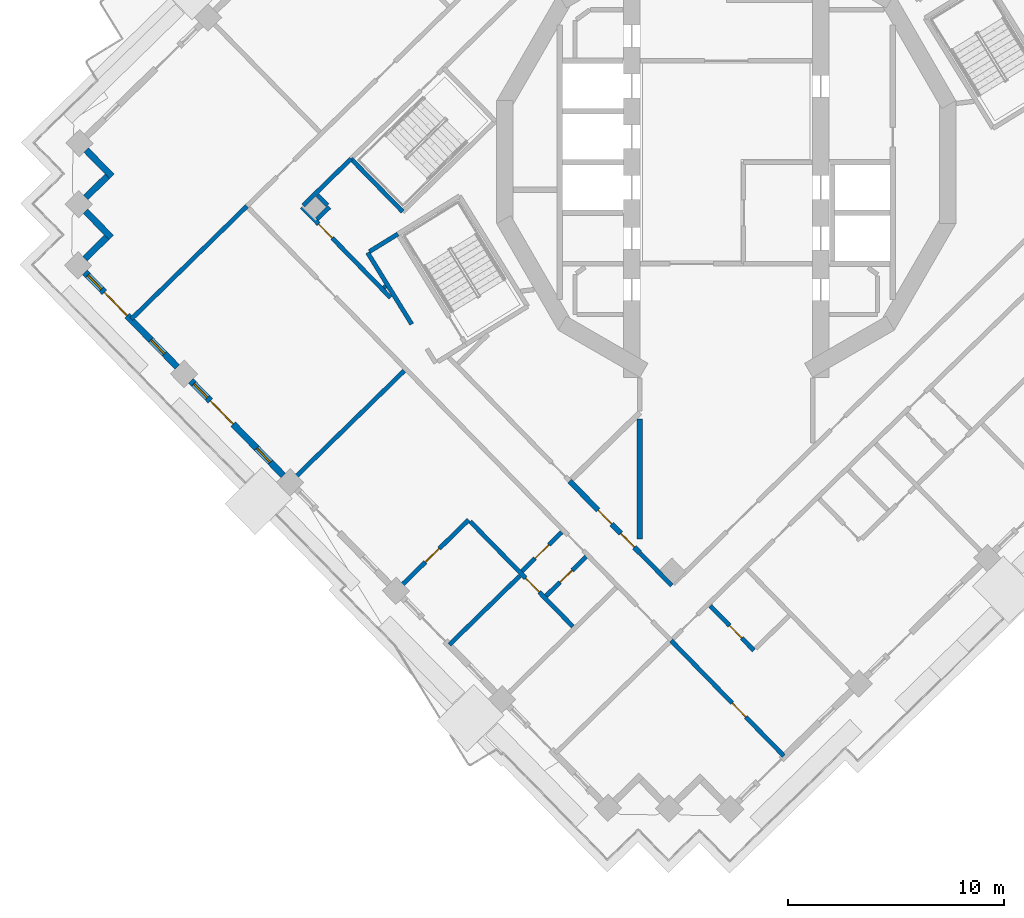
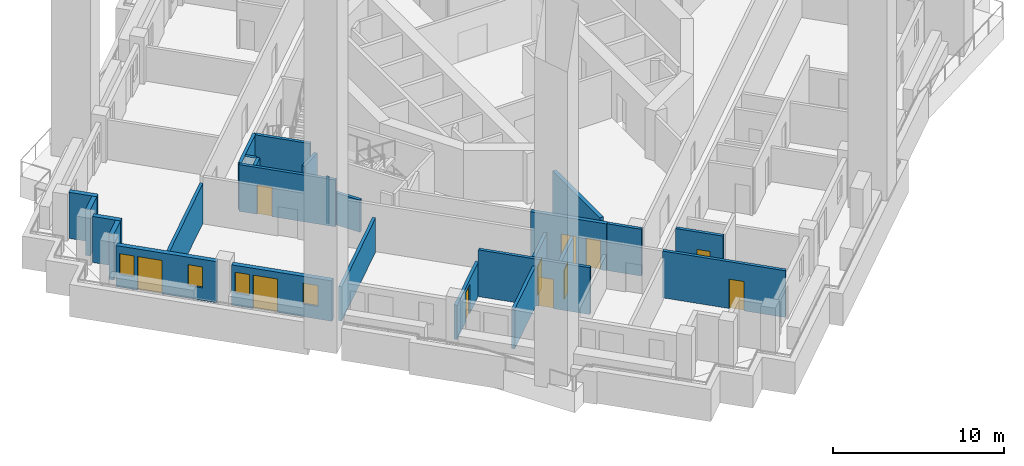
# One storey, part 3 of 17: 26 walls, 11 doors, 4 windows, 15 openings.
"""IFC4 building model written with IfcOpenShell, lengths in metres."""

from ifc_helpers import new_model, si_unit, direction, frame, frame_2d, origin, place, context, subcontext, project, spatial, rectangle, extrude, material, layer, layer_set, type_object, element, fill, save


model = new_model("IFC4")

# Units and contexts
model_context = context("Model", 3, precision=1e-05, world=origin(), true_north=direction((0.0, 1.0)))
body_context = subcontext(model_context, "Body", "Model", "MODEL_VIEW")
ifc_project = project(units=[si_unit("LENGTHUNIT", "METRE"), si_unit("AREAUNIT", "SQUARE_METRE"), si_unit("VOLUMEUNIT", "CUBIC_METRE"), si_unit("PLANEANGLEUNIT", "RADIAN"), si_unit("MASSUNIT", "GRAM", prefix="KILO")], contexts=[model_context])

# Site, building, storey
site_placement = place(None, origin())
site = spatial("IfcSite", under=ifc_project, at=site_placement, CompositionType="ELEMENT")
building_placement = place(site_placement, origin())
building = spatial("IfcBuilding", under=site, at=building_placement, Name="Cantera Rosa Tower", CompositionType="ELEMENT")
storey_placement = place(building_placement, frame((0.0, 0.0, 205.39990234375)))
storey = spatial("IfcBuildingStorey", under=building, at=storey_placement, Name="L43", CompositionType="ELEMENT", Elevation=205.39990234375)

# Wall
ifc_material_1 = material(Name="Gypsum board partition")
ifc_layer_1 = layer(ifc_material_1, 0.199951171875)
ifc_layer_set_1 = layer_set([ifc_layer_1], Name="CORRIDOR WALL 200 H2300")
wall_type_1 = type_object("IfcWallType", Name="CORRIDOR WALL 200 H2300", PredefinedType="PARTITIONING", material=ifc_layer_set_1)
wall_1_placement = place(storey_placement, frame((-16.6005859375, -4.189697265625, 0.0), z_axis=(0.0, 0.0, 1.0), x_axis=(0.524986446256, -0.851110586967, 0.0)))
element("IfcWall", 1, at=wall_1_placement, inside=storey, type_object=wall_type_1, Name="CORRIDOR WALL L43-009", PredefinedType="PARTITIONING", context=body_context, shape_type="SweptSolid", body=[
    extrude(rectangle(XDim=3.890625, YDim=0.199951171875, at=frame_2d((1.9453125, 0.0))), origin(), (0.0, 0.0, 1.0), 2.300048828125),
])

# Wall, opening, door
ifc_material_2 = material(Name="Gypsum board partition")
ifc_layer_2 = layer(ifc_material_2, 0.199951171875)
ifc_layer_set_2 = layer_set([ifc_layer_2], Name="CORRIDOR WALL 200 H3350")
wall_type_2 = type_object("IfcWallType", Name="CORRIDOR WALL 200 H3350", PredefinedType="PARTITIONING", material=ifc_layer_set_2)
wall_2_placement = place(storey_placement, frame((-19.647705078125, -2.069580078125, 0.0), z_axis=(0.0, 0.0, 1.0), x_axis=(0.698845926006, -0.715272236079, 0.0)))
wall_2 = element("IfcWall", 2, at=wall_2_placement, inside=storey, type_object=wall_type_2, Name="CORRIDOR WALL L43-003", PredefinedType="PARTITIONING", context=body_context, shape_type="SweptSolid", body=[
    extrude(rectangle(XDim=5.870849609375, YDim=0.199951171875, at=frame_2d((2.935546875, 0.0))), origin(), (0.0, 0.0, 1.0), 3.35009765625),
])
opening_1_placement = place(wall_2_placement, frame((1.11279296875, 0.0, 0.0)))
opening_1 = element("IfcOpeningElement", 3, at=opening_1_placement, cuts=wall_2, Name="Opening L43-008", PredefinedType="OPENING", context=body_context, shape_type="SweptSolid", body=[
    extrude(rectangle(XDim=0.89990234375, YDim=2.10009765625, at=frame_2d((0.449951171875, 1.050048828125))), frame((0.0, 0.10986328125, 0.0), z_axis=(0.0, -1.0, 0.0), x_axis=(1.0, 0.0, 0.0)), (0.0, 0.0, 1.0), 0.219970703125),
])
ifc_material_3 = material(Name="Timber door leaf", Category="wood")
door_type_1 = type_object("IfcDoorType", Name="SERVICE DOOR 900x2100", OperationType="NOTDEFINED", PredefinedType="DOOR", material=ifc_material_3)
door_1_placement = place(opening_1_placement, origin())
door_1 = element("IfcDoor", 4, at=door_1_placement, inside=storey, type_object=door_type_1, Name="DOOR L43-008", OperationType="NOTDEFINED", OverallHeight=2.10009765625, OverallWidth=0.89990234375, PredefinedType="DOOR", context=body_context, shape_type="SweptSolid", body=[
    extrude(rectangle(XDim=0.89990234375, YDim=2.10009765625, at=frame_2d((0.449951171875, 1.050048828125))), frame((0.0, 0.02490234375, 0.0), z_axis=(0.0, -1.0, 0.0), x_axis=(1.0, 0.0, 0.0)), (0.0, 0.0, 1.0), 0.050048828125),
])
fill(opening_1, door_1)

# Walls
wall_3_placement = place(storey_placement, frame((-17.36962890625, 0.156005859375, 0.0), z_axis=(0.0, 0.0, 1.0), x_axis=(-0.715289693103, -0.69882805821, 0.0)))
element("IfcWall", 5, at=wall_3_placement, inside=storey, type_object=wall_type_2, Name="CORRIDOR WALL L43-007", PredefinedType="PARTITIONING", context=body_context, shape_type="SweptSolid", body=[
    extrude(rectangle(XDim=3.084716796875, YDim=0.199951171875, at=frame_2d((1.54248046875, 0.0))), origin(), (0.0, 0.0, 1.0), 3.35009765625),
])
wall_4_placement = place(storey_placement, frame((-15.20068359375, -3.325927734375, 0.0), z_axis=(0.0, 0.0, 1.0), x_axis=(-0.851055543597, -0.525075672368, 0.0)))
element("IfcWall", 6, at=wall_4_placement, inside=storey, type_object=wall_type_2, Name="CORRIDOR WALL L43-013", PredefinedType="PARTITIONING", context=body_context, shape_type="SweptSolid", body=[
    extrude(rectangle(XDim=1.545166015625, YDim=0.199951171875, at=frame_2d((0.7724609375, 0.0))), origin(), (0.0, 0.0, 1.0), 3.35009765625),
])
wall_5_placement = place(storey_placement, frame((-3.986083984375, -18.10009765625, 0.0), z_axis=(0.0, 0.0, 1.0), x_axis=(0.698877234419, -0.715241645327, 0.0)))
element("IfcWall", 7, at=wall_5_placement, inside=storey, type_object=wall_type_2, Name="CORRIDOR WALL L43-054", PredefinedType="PARTITIONING", context=body_context, shape_type="SweptSolid", body=[
    extrude(rectangle(XDim=2.088623046875, YDim=0.199951171875, at=frame_2d((1.04443359375, 0.0))), origin(), (0.0, 0.0, 1.0), 3.35009765625),
])
ifc_material_4 = material(Name="Hollow clay masonry with cantera stone cladding", Category="masonry")
ifc_layer_3 = layer(ifc_material_4, 0.300048828125)
ifc_layer_set_3 = layer_set([ifc_layer_3], Name="EW-LOGGIA 300")
wall_type_3 = type_object("IfcWallType", Name="EW-LOGGIA 300", PredefinedType="SOLIDWALL", material=ifc_layer_set_3)
wall_6_placement = place(storey_placement, frame((-29.623291015625, 0.556884765625, 0.0), z_axis=(0.0, 0.0, 1.0), x_axis=(0.69880105094, -0.715316077832, 0.0)))
element("IfcWall", 8, at=wall_6_placement, inside=storey, type_object=wall_type_3, Name="EN-L43-W12a", PredefinedType="SOLIDWALL", context=body_context, shape_type="SweptSolid", body=[
    extrude(rectangle(XDim=1.699951171875, YDim=0.300048828125, at=frame_2d((0.85009765625, 0.0))), origin(), (0.0, 0.0, 1.0), 3.300048828125),
])
wall_7_placement = place(storey_placement, frame((-28.6474609375, -0.65673828125, 0.0), z_axis=(0.0, 0.0, 1.0), x_axis=(-0.715341715727, -0.698774806172, 0.0)))
element("IfcWall", 9, at=wall_7_placement, inside=storey, type_object=wall_type_3, Name="EN-L43-W12b", PredefinedType="SOLIDWALL", context=body_context, shape_type="SweptSolid", body=[
    extrude(rectangle(XDim=1.39990234375, YDim=0.300048828125, at=frame_2d((0.699951171875, 0.0))), origin(), (0.0, 0.0, 1.0), 3.300048828125),
])
wall_8_placement = place(storey_placement, frame((-29.65625, -2.271484375, 0.0), z_axis=(0.0, 0.0, 1.0), x_axis=(0.698872839675, -0.715245939495, 0.0)))
element("IfcWall", 10, at=wall_8_placement, inside=storey, type_object=wall_type_3, Name="EN-L43-W13a", PredefinedType="SOLIDWALL", context=body_context, shape_type="SweptSolid", body=[
    extrude(rectangle(XDim=1.699951171875, YDim=0.300048828125, at=frame_2d((0.85009765625, 0.0))), origin(), (0.0, 0.0, 1.0), 3.300048828125),
])
wall_9_placement = place(storey_placement, frame((-28.680419921875, -3.48486328125, 0.0), z_axis=(0.0, 0.0, 1.0), x_axis=(-0.71516937164, -0.698951192766, 0.0)))
element("IfcWall", 11, at=wall_9_placement, inside=storey, type_object=wall_type_3, Name="EN-L43-W13b", PredefinedType="SOLIDWALL", context=body_context, shape_type="SweptSolid", body=[
    extrude(rectangle(XDim=1.39990234375, YDim=0.300048828125, at=frame_2d((0.699951171875, 0.0))), origin(), (0.0, 0.0, 1.0), 3.300048828125),
])

# Wall, openings, windows, door
ifc_material_5 = material(Name="Hollow clay masonry with cantera stone cladding", Category="masonry")
ifc_layer_4 = layer(ifc_material_5, 0.300048828125)
ifc_layer_set_4 = layer_set([ifc_layer_4], Name="EW-LOGGIA 300 H2890")
wall_type_4 = type_object("IfcWallType", Name="EW-LOGGIA 300 H2890", PredefinedType="SOLIDWALL", material=ifc_layer_set_4)
wall_10_placement = place(storey_placement, frame((-24.783203125, -10.120849609375, 0.0), z_axis=(0.0, 0.0, 1.0), x_axis=(0.698800768177, -0.715316354067, 0.0)))
wall_10 = element("IfcWall", 12, at=wall_10_placement, inside=storey, type_object=wall_type_4, Name="EN-L43-W15", PredefinedType="SOLIDWALL", context=body_context, shape_type="SweptSolid", body=[
    extrude(rectangle(XDim=6.119873046875, YDim=0.300048828125, at=frame_2d((3.06005859375, 0.0))), origin(), (0.0, 0.0, 1.0), 2.89013671875),
])
opening_2_placement = place(wall_10_placement, frame((0.199951171875, 0.0, 0.89990234375)))
opening_2 = element("IfcOpeningElement", 13, at=opening_2_placement, cuts=wall_10, Name="Opening L43-W25", PredefinedType="OPENING", context=body_context, shape_type="SweptSolid", body=[
    extrude(rectangle(XDim=0.89990234375, YDim=1.5, at=frame_2d((0.449951171875, 0.75))), frame((0.0, 0.159912109375, 0.0), z_axis=(0.0, -1.0, 0.0), x_axis=(1.0, 0.0, 0.0)), (0.0, 0.0, 1.0), 0.320068359375),
])
opening_3_placement = place(wall_10_placement, frame((1.300048828125, 0.0, 0.0)))
opening_3 = element("IfcOpeningElement", 14, at=opening_3_placement, cuts=wall_10, Name="Opening L43-TD26", PredefinedType="OPENING", context=body_context, shape_type="SweptSolid", body=[
    extrude(rectangle(XDim=1.5, YDim=2.39990234375, at=frame_2d((0.75, 1.199951171875))), frame((0.0, 0.159912109375, 0.0), z_axis=(0.0, -1.0, 0.0), x_axis=(1.0, 0.0, 0.0)), (0.0, 0.0, 1.0), 0.320068359375),
])
opening_4_placement = place(wall_10_placement, frame((4.364990234375, 0.0, 0.89990234375)))
opening_4 = element("IfcOpeningElement", 15, at=opening_4_placement, cuts=wall_10, Name="Opening L43-W27", PredefinedType="OPENING", context=body_context, shape_type="SweptSolid", body=[
    extrude(rectangle(XDim=0.89990234375, YDim=1.5, at=frame_2d((0.449951171875, 0.75))), frame((0.0, 0.159912109375, 0.0), z_axis=(0.0, -1.0, 0.0), x_axis=(1.0, 0.0, 0.0)), (0.0, 0.0, 1.0), 0.320068359375),
])
ifc_material_6 = material(Name="Aluminium frame with clear glass", Category="aluminium")
window_type = type_object("IfcWindowType", Name="Residential window 900x1500", PartitioningType="SINGLE_PANEL", PredefinedType="WINDOW", material=ifc_material_6)
window_1_placement = place(opening_2_placement, origin())
window_1 = element("IfcWindow", 16, at=window_1_placement, inside=storey, type_object=window_type, Name="WINDOW L43-W25", OverallHeight=1.5, OverallWidth=0.89990234375, PartitioningType="SINGLE_PANEL", PredefinedType="WINDOW", context=body_context, shape_type="SweptSolid", body=[
    extrude(rectangle(XDim=0.89990234375, YDim=1.5, at=frame_2d((0.449951171875, 0.75))), frame((0.0, 0.030029296875, 0.0), z_axis=(0.0, -1.0, 0.0), x_axis=(1.0, 0.0, 0.0)), (0.0, 0.0, 1.0), 0.06005859375),
])
fill(opening_2, window_1)
window_2_placement = place(opening_4_placement, origin())
window_2 = element("IfcWindow", 17, at=window_2_placement, inside=storey, type_object=window_type, Name="WINDOW L43-W27", OverallHeight=1.5, OverallWidth=0.89990234375, PartitioningType="SINGLE_PANEL", PredefinedType="WINDOW", context=body_context, shape_type="SweptSolid", body=[
    extrude(rectangle(XDim=0.89990234375, YDim=1.5, at=frame_2d((0.449951171875, 0.75))), frame((0.0, 0.030029296875, 0.0), z_axis=(0.0, -1.0, 0.0), x_axis=(1.0, 0.0, 0.0)), (0.0, 0.0, 1.0), 0.06005859375),
])
fill(opening_4, window_2)
ifc_material_7 = material(Name="Aluminium frame with clear glass", Category="aluminium")
door_type_2 = type_object("IfcDoorType", Name="TD-R 1500x2400", OperationType="NOTDEFINED", PredefinedType="DOOR", material=ifc_material_7)
door_2_placement = place(opening_3_placement, origin())
door_2 = element("IfcDoor", 18, at=door_2_placement, inside=storey, type_object=door_type_2, Name="LOGGIA DOOR L43-TD26", OperationType="SLIDING_TO_LEFT", OverallHeight=2.39990234375, OverallWidth=1.5, PredefinedType="DOOR", context=body_context, shape_type="SweptSolid", body=[
    extrude(rectangle(XDim=1.5, YDim=2.39990234375, at=frame_2d((0.75, 1.199951171875))), frame((0.0, 0.02490234375, 0.0), z_axis=(0.0, -1.0, 0.0), x_axis=(1.0, 0.0, 0.0)), (0.0, 0.0, 1.0), 0.050048828125),
])
fill(opening_3, door_2)

ifc_material_8 = material(Name="Hollow clay masonry with cantera stone cladding", Category="masonry")
ifc_layer_5 = layer(ifc_material_8, 0.300048828125)
ifc_layer_set_5 = layer_set([ifc_layer_5], Name="EW-LOGGIA 300 H2940")
wall_type_5 = type_object("IfcWallType", Name="EW-LOGGIA 300 H2940", PredefinedType="SOLIDWALL", material=ifc_layer_set_5)
wall_11_placement = place(storey_placement, frame((-29.689208984375, -5.099609375, 0.0), z_axis=(0.0, 0.0, 1.0), x_axis=(0.69882117953, -0.715296413412, 0.0)))
wall_11 = element("IfcWall", 19, at=wall_11_placement, inside=storey, type_object=wall_type_5, Name="EN-L43-W14", PredefinedType="SOLIDWALL", context=body_context, shape_type="SweptSolid", body=[
    extrude(rectangle(XDim=6.1201171875, YDim=0.300048828125, at=frame_2d((3.06005859375, 0.0))), origin(), (0.0, 0.0, 1.0), 2.940185546875),
])
opening_5_placement = place(wall_11_placement, frame((0.199951171875, 0.0, 0.89990234375)))
opening_5 = element("IfcOpeningElement", 20, at=opening_5_placement, cuts=wall_11, Name="Opening L43-W22", PredefinedType="OPENING", context=body_context, shape_type="SweptSolid", body=[
    extrude(rectangle(XDim=0.89990234375, YDim=1.5, at=frame_2d((0.449951171875, 0.75))), frame((0.0, 0.159912109375, 0.0), z_axis=(0.0, -1.0, 0.0), x_axis=(1.0, 0.0, 0.0)), (0.0, 0.0, 1.0), 0.320068359375),
])
opening_6_placement = place(wall_11_placement, frame((1.300048828125, 0.0, 0.0)))
opening_6 = element("IfcOpeningElement", 21, at=opening_6_placement, cuts=wall_11, Name="Opening L43-TD23", PredefinedType="OPENING", context=body_context, shape_type="SweptSolid", body=[
    extrude(rectangle(XDim=1.5, YDim=2.39990234375, at=frame_2d((0.75, 1.199951171875))), frame((0.0, 0.159912109375, 0.0), z_axis=(0.0, -1.0, 0.0), x_axis=(1.0, 0.0, 0.0)), (0.0, 0.0, 1.0), 0.320068359375),
])
opening_7_placement = place(wall_11_placement, frame((4.364990234375, 0.0, 0.89990234375)))
opening_7 = element("IfcOpeningElement", 22, at=opening_7_placement, cuts=wall_11, Name="Opening L43-W24", PredefinedType="OPENING", context=body_context, shape_type="SweptSolid", body=[
    extrude(rectangle(XDim=0.89990234375, YDim=1.5, at=frame_2d((0.449951171875, 0.75))), frame((0.0, 0.159912109375, 0.0), z_axis=(0.0, -1.0, 0.0), x_axis=(1.0, 0.0, 0.0)), (0.0, 0.0, 1.0), 0.320068359375),
])
window_3_placement = place(opening_5_placement, origin())
window_3 = element("IfcWindow", 23, at=window_3_placement, inside=storey, type_object=window_type, Name="WINDOW L43-W22", OverallHeight=1.5, OverallWidth=0.89990234375, PartitioningType="SINGLE_PANEL", PredefinedType="WINDOW", context=body_context, shape_type="SweptSolid", body=[
    extrude(rectangle(XDim=0.89990234375, YDim=1.5, at=frame_2d((0.449951171875, 0.75))), frame((0.0, 0.030029296875, 0.0), z_axis=(0.0, -1.0, 0.0), x_axis=(1.0, 0.0, 0.0)), (0.0, 0.0, 1.0), 0.06005859375),
])
fill(opening_5, window_3)
window_4_placement = place(opening_7_placement, origin())
window_4 = element("IfcWindow", 24, at=window_4_placement, inside=storey, type_object=window_type, Name="WINDOW L43-W24", OverallHeight=1.5, OverallWidth=0.89990234375, PartitioningType="SINGLE_PANEL", PredefinedType="WINDOW", context=body_context, shape_type="SweptSolid", body=[
    extrude(rectangle(XDim=0.89990234375, YDim=1.5, at=frame_2d((0.449951171875, 0.75))), frame((0.0, 0.030029296875, 0.0), z_axis=(0.0, -1.0, 0.0), x_axis=(1.0, 0.0, 0.0)), (0.0, 0.0, 1.0), 0.06005859375),
])
fill(opening_7, window_4)
door_3_placement = place(opening_6_placement, origin())
door_3 = element("IfcDoor", 25, at=door_3_placement, inside=storey, type_object=door_type_2, Name="LOGGIA DOOR L43-TD23", OperationType="SLIDING_TO_LEFT", OverallHeight=2.39990234375, OverallWidth=1.5, PredefinedType="DOOR", context=body_context, shape_type="SweptSolid", body=[
    extrude(rectangle(XDim=1.5, YDim=2.39990234375, at=frame_2d((0.75, 1.199951171875))), frame((0.0, 0.02490234375, 0.0), z_axis=(0.0, -1.0, 0.0), x_axis=(1.0, 0.0, 0.0)), (0.0, 0.0, 1.0), 0.050048828125),
])
fill(opening_6, door_3)

# Wall, opening, door
ifc_material_9 = material(Name="Gypsum board partition")
ifc_layer_6 = layer(ifc_material_9, 0.199951171875)
ifc_layer_set_6 = layer_set([ifc_layer_6], Name="PARTITION 200 H2450")
wall_type_6 = type_object("IfcWallType", Name="PARTITION 200 H2450", PredefinedType="PARTITIONING", material=ifc_layer_set_6)
wall_12_placement = place(storey_placement, frame((-15.2646484375, -19.82080078125, 0.0), z_axis=(0.0, 0.0, 1.0), x_axis=(0.715266781779, 0.698851508465, 0.0)))
wall_12 = element("IfcWall", 26, at=wall_12_placement, inside=storey, type_object=wall_type_6, Name="PARTITION L43-012", PredefinedType="PARTITIONING", context=body_context, shape_type="SweptSolid", body=[
    extrude(rectangle(XDim=4.670166015625, YDim=0.199951171875, at=frame_2d((2.3349609375, 0.0))), origin(), (0.0, 0.0, 1.0), 2.4501953125),
])
opening_8_placement = place(wall_12_placement, frame((1.8701171875, 0.0, 0.0)))
opening_8 = element("IfcOpeningElement", 27, at=opening_8_placement, cuts=wall_12, Name="Opening L43-043", PredefinedType="OPENING", context=body_context, shape_type="SweptSolid", body=[
    extrude(rectangle(XDim=0.89990234375, YDim=2.10009765625, at=frame_2d((0.449951171875, 1.050048828125))), frame((0.0, 0.10986328125, 0.0), z_axis=(0.0, -1.0, 0.0), x_axis=(1.0, 0.0, 0.0)), (0.0, 0.0, 1.0), 0.219970703125),
])
ifc_material_10 = material(Name="Timber door leaf", Category="wood")
door_type_3 = type_object("IfcDoorType", Name="ROOM DOOR 900x2100", OperationType="NOTDEFINED", PredefinedType="DOOR", material=ifc_material_10)
door_4_placement = place(opening_8_placement, origin())
door_4 = element("IfcDoor", 28, at=door_4_placement, inside=storey, type_object=door_type_3, Name="DOOR L43-043", OperationType="NOTDEFINED", OverallHeight=2.10009765625, OverallWidth=0.89990234375, PredefinedType="DOOR", context=body_context, shape_type="SweptSolid", body=[
    extrude(rectangle(XDim=0.89990234375, YDim=2.10009765625, at=frame_2d((0.449951171875, 1.050048828125))), frame((0.0, 0.02490234375, 0.0), z_axis=(0.0, -1.0, 0.0), x_axis=(1.0, 0.0, 0.0)), (0.0, 0.0, 1.0), 0.050048828125),
])
fill(opening_8, door_4)

# Walls
ifc_material_11 = material(Name="Gypsum board partition")
ifc_layer_7 = layer(ifc_material_11, 0.199951171875)
ifc_layer_set_7 = layer_set([ifc_layer_7], Name="PARTITION 200 H2850")
wall_type_7 = type_object("IfcWallType", Name="PARTITION 200 H2850", PredefinedType="PARTITIONING", material=ifc_layer_set_7)
wall_13_placement = place(storey_placement, frame((-22.193115234375, -2.0400390625, 0.0), z_axis=(0.0, 0.0, 1.0), x_axis=(-0.715278908715, -0.698839096465, 0.0)))
element("IfcWall", 29, at=wall_13_placement, inside=storey, type_object=wall_type_7, Name="PARTITION L43-001", PredefinedType="PARTITIONING", context=body_context, shape_type="SweptSolid", body=[
    extrude(rectangle(XDim=7.4697265625, YDim=0.199951171875, at=frame_2d((3.73486328125, 0.0))), origin(), (0.0, 0.0, 1.0), 2.85009765625),
])
wall_14_placement = place(storey_placement, frame((-12.811767578125, -22.331298828125, 0.0), z_axis=(0.0, 0.0, 1.0), x_axis=(0.715268883314, 0.698849357561, 0.0)))
element("IfcWall", 30, at=wall_14_placement, inside=storey, type_object=wall_type_7, Name="PARTITION L43-020", PredefinedType="PARTITIONING", context=body_context, shape_type="SweptSolid", body=[
    extrude(rectangle(XDim=4.5498046875, YDim=0.199951171875, at=frame_2d((2.27490234375, 0.0))), origin(), (0.0, 0.0, 1.0), 2.85009765625),
])
ifc_material_12 = material(Name="Gypsum board partition")
ifc_layer_8 = layer(ifc_material_12, 0.199951171875)
ifc_layer_set_8 = layer_set([ifc_layer_8], Name="PARTITION 200 H3350")
wall_type_8 = type_object("IfcWallType", Name="PARTITION 200 H3350", PredefinedType="PARTITIONING", material=ifc_layer_set_8)
wall_15_placement = place(storey_placement, frame((-18.947021484375, -2.6435546875, 0.0), z_axis=(0.0, 0.0, 1.0), x_axis=(0.715149057924, 0.698971977228, 0.0)))
element("IfcWall", 31, at=wall_15_placement, inside=storey, type_object=wall_type_8, Name="PARTITION L43-004", PredefinedType="PARTITIONING", context=body_context, shape_type="SweptSolid", body=[
    extrude(rectangle(XDim=0.7998046875, YDim=0.199951171875, at=frame_2d((0.39990234375, 0.0))), origin(), (0.0, 0.0, 1.0), 3.35009765625),
])
wall_16_placement = place(storey_placement, frame((-18.458740234375, -1.99853515625, 0.0), z_axis=(0.0, 0.0, 1.0), x_axis=(-0.698920044304, 0.715199812409, 0.0)))
element("IfcWall", 32, at=wall_16_placement, inside=storey, type_object=wall_type_8, Name="PARTITION L43-006", PredefinedType="PARTITIONING", context=body_context, shape_type="SweptSolid", body=[
    extrude(rectangle(XDim=0.659912109375, YDim=0.199951171875, at=frame_2d((0.330078125, 0.0))), origin(), (0.0, 0.0, 1.0), 3.35009765625),
])
wall_17_placement = place(storey_placement, frame((-15.76025390625, -5.741455078125, 0.0), z_axis=(0.0, 0.0, 1.0), x_axis=(-0.787193992955, -0.616705454374, 0.0)))
element("IfcWall", 33, at=wall_17_placement, inside=storey, type_object=wall_type_8, Name="PARTITION L43-011", PredefinedType="PARTITIONING", context=body_context, shape_type="SweptSolid", body=[
    extrude(rectangle(XDim=0.115966796875, YDim=0.199951171875, at=frame_2d((0.05810546875, 0.0))), origin(), (0.0, 0.0, 1.0), 3.35009765625),
])

# Wall, opening, door
wall_18_placement = place(storey_placement, frame((-11.8544921875, -16.628662109375, 0.0), z_axis=(0.0, 0.0, 1.0), x_axis=(0.698837366631, -0.715280598787, 0.0)))
wall_18 = element("IfcWall", 34, at=wall_18_placement, inside=storey, type_object=wall_type_8, Name="PARTITION L43-025", PredefinedType="PARTITIONING", context=body_context, shape_type="SweptSolid", body=[
    extrude(rectangle(XDim=6.800048828125, YDim=0.199951171875, at=frame_2d((3.39990234375, 0.0))), origin(), (0.0, 0.0, 1.0), 3.35009765625),
])
opening_9_placement = place(wall_18_placement, frame((3.669921875, 0.0, 0.0)))
opening_9 = element("IfcOpeningElement", 35, at=opening_9_placement, cuts=wall_18, Name="Opening L43-042", PredefinedType="OPENING", context=body_context, shape_type="SweptSolid", body=[
    extrude(rectangle(XDim=0.89990234375, YDim=2.10009765625, at=frame_2d((0.449951171875, 1.050048828125))), frame((0.0, 0.10986328125, 0.0), z_axis=(0.0, -1.0, 0.0), x_axis=(1.0, 0.0, 0.0)), (0.0, 0.0, 1.0), 0.219970703125),
])
door_5_placement = place(opening_9_placement, origin())
door_5 = element("IfcDoor", 36, at=door_5_placement, inside=storey, type_object=door_type_3, Name="DOOR L43-042", OperationType="NOTDEFINED", OverallHeight=2.10009765625, OverallWidth=0.89990234375, PredefinedType="DOOR", context=body_context, shape_type="SweptSolid", body=[
    extrude(rectangle(XDim=0.89990234375, YDim=2.10009765625, at=frame_2d((0.449951171875, 1.050048828125))), frame((0.0, 0.02490234375, 0.0), z_axis=(0.0, -1.0, 0.0), x_axis=(1.0, 0.0, 0.0)), (0.0, 0.0, 1.0), 0.050048828125),
])
fill(opening_9, door_5)

wall_19_placement = place(storey_placement, frame((-9.462890625, -18.93359375, 0.0), z_axis=(0.0, 0.0, 1.0), x_axis=(0.715291472517, 0.698826236875, 0.0)))
wall_19 = element("IfcWall", 37, at=wall_19_placement, inside=storey, type_object=wall_type_8, Name="PARTITION L43-028", PredefinedType="PARTITIONING", context=body_context, shape_type="SweptSolid", body=[
    extrude(rectangle(XDim=2.580078125, YDim=0.199951171875, at=frame_2d((1.2900390625, 0.0))), origin(), (0.0, 0.0, 1.0), 3.35009765625),
])
opening_10_placement = place(wall_19_placement, frame((0.85009765625, 0.0, 0.0)))
opening_10 = element("IfcOpeningElement", 38, at=opening_10_placement, cuts=wall_19, Name="Opening L43-041", PredefinedType="OPENING", context=body_context, shape_type="SweptSolid", body=[
    extrude(rectangle(XDim=0.89990234375, YDim=2.10009765625, at=frame_2d((0.449951171875, 1.050048828125))), frame((0.0, 0.10986328125, 0.0), z_axis=(0.0, -1.0, 0.0), x_axis=(1.0, 0.0, 0.0)), (0.0, 0.0, 1.0), 0.219970703125),
])
door_6_placement = place(opening_10_placement, origin())
door_6 = element("IfcDoor", 39, at=door_6_placement, inside=storey, type_object=door_type_3, Name="DOOR L43-041", OperationType="NOTDEFINED", OverallHeight=2.10009765625, OverallWidth=0.89990234375, PredefinedType="DOOR", context=body_context, shape_type="SweptSolid", body=[
    extrude(rectangle(XDim=0.89990234375, YDim=2.10009765625, at=frame_2d((0.449951171875, 1.050048828125))), frame((0.0, 0.02490234375, 0.0), z_axis=(0.0, -1.0, 0.0), x_axis=(1.0, 0.0, 0.0)), (0.0, 0.0, 1.0), 0.050048828125),
])
fill(opening_10, door_6)

wall_20_placement = place(storey_placement, frame((-8.3447265625, -20.077880859375, 0.0), z_axis=(0.0, 0.0, 1.0), x_axis=(0.715321599766, 0.698795398459, 0.0)))
wall_20 = element("IfcWall", 40, at=wall_20_placement, inside=storey, type_object=wall_type_8, Name="PARTITION L43-033", PredefinedType="PARTITIONING", context=body_context, shape_type="SweptSolid", body=[
    extrude(rectangle(XDim=2.60009765625, YDim=0.199951171875, at=frame_2d((1.300048828125, 0.0))), origin(), (0.0, 0.0, 1.0), 3.35009765625),
])
opening_11_placement = place(wall_20_placement, frame((0.89990234375, 0.0, 0.0)))
opening_11 = element("IfcOpeningElement", 41, at=opening_11_placement, cuts=wall_20, Name="Opening L43-040", PredefinedType="OPENING", context=body_context, shape_type="SweptSolid", body=[
    extrude(rectangle(XDim=0.800048828125, YDim=2.10009765625, at=frame_2d((0.39990234375, 1.050048828125))), frame((0.0, 0.10986328125, 0.0), z_axis=(0.0, -1.0, 0.0), x_axis=(1.0, 0.0, 0.0)), (0.0, 0.0, 1.0), 0.219970703125),
])
ifc_material_13 = material(Name="Timber door leaf", Category="wood")
door_type_4 = type_object("IfcDoorType", Name="BATHROOM DOOR 800x2100", OperationType="NOTDEFINED", PredefinedType="DOOR", material=ifc_material_13)
door_7_placement = place(opening_11_placement, origin())
door_7 = element("IfcDoor", 42, at=door_7_placement, inside=storey, type_object=door_type_4, Name="DOOR L43-040", OperationType="NOTDEFINED", OverallHeight=2.10009765625, OverallWidth=0.800048828125, PredefinedType="DOOR", context=body_context, shape_type="SweptSolid", body=[
    extrude(rectangle(XDim=0.800048828125, YDim=2.10009765625, at=frame_2d((0.39990234375, 1.050048828125))), frame((0.0, 0.02490234375, 0.0), z_axis=(0.0, -1.0, 0.0), x_axis=(1.0, 0.0, 0.0)), (0.0, 0.0, 1.0), 0.050048828125),
])
fill(opening_11, door_7)

wall_21_placement = place(storey_placement, frame((-2.555908203125, -22.1396484375, 0.0), z_axis=(0.0, 0.0, 1.0), x_axis=(0.698839096465, -0.715278908715, 0.0)))
wall_21 = element("IfcWall", 43, at=wall_21_placement, inside=storey, type_object=wall_type_8, Name="PARTITION L43-061", PredefinedType="PARTITIONING", context=body_context, shape_type="SweptSolid", body=[
    extrude(rectangle(XDim=7.4697265625, YDim=0.199951171875, at=frame_2d((3.73486328125, 0.0))), origin(), (0.0, 0.0, 1.0), 3.35009765625),
])
opening_12_placement = place(wall_21_placement, frame((4.050048828125, 0.0, 0.0)))
opening_12 = element("IfcOpeningElement", 44, at=opening_12_placement, cuts=wall_21, Name="Opening L43-055", PredefinedType="OPENING", context=body_context, shape_type="SweptSolid", body=[
    extrude(rectangle(XDim=0.89990234375, YDim=2.10009765625, at=frame_2d((0.449951171875, 1.050048828125))), frame((0.0, 0.10986328125, 0.0), z_axis=(0.0, -1.0, 0.0), x_axis=(1.0, 0.0, 0.0)), (0.0, 0.0, 1.0), 0.219970703125),
])
door_8_placement = place(opening_12_placement, origin())
door_8 = element("IfcDoor", 45, at=door_8_placement, inside=storey, type_object=door_type_3, Name="DOOR L43-055", OperationType="NOTDEFINED", OverallHeight=2.10009765625, OverallWidth=0.89990234375, PredefinedType="DOOR", context=body_context, shape_type="SweptSolid", body=[
    extrude(rectangle(XDim=0.89990234375, YDim=2.10009765625, at=frame_2d((0.449951171875, 1.050048828125))), frame((0.0, 0.02490234375, 0.0), z_axis=(0.0, -1.0, 0.0), x_axis=(1.0, 0.0, 0.0)), (0.0, 0.0, 1.0), 0.050048828125),
])
fill(opening_12, door_8)

wall_22_placement = place(storey_placement, frame((1.271484375, -22.59423828125, 0.0), z_axis=(0.0, 0.0, 1.0), x_axis=(-0.698792995546, 0.715323947157, 0.0)))
wall_22 = element("IfcWall", 46, at=wall_22_placement, inside=storey, type_object=wall_type_8, Name="PARTITION L43-071", PredefinedType="PARTITIONING", context=body_context, shape_type="SweptSolid", body=[
    extrude(rectangle(XDim=2.8798828125, YDim=0.199951171875, at=frame_2d((1.43994140625, 0.0))), origin(), (0.0, 0.0, 1.0), 3.35009765625),
])
opening_13_placement = place(wall_22_placement, frame((0.800048828125, 0.0, 0.0)))
opening_13 = element("IfcOpeningElement", 47, at=opening_13_placement, cuts=wall_22, Name="Opening L43-054", PredefinedType="OPENING", context=body_context, shape_type="SweptSolid", body=[
    extrude(rectangle(XDim=0.800048828125, YDim=2.10009765625, at=frame_2d((0.39990234375, 1.050048828125))), frame((0.0, 0.10986328125, 0.0), z_axis=(0.0, -1.0, 0.0), x_axis=(1.0, 0.0, 0.0)), (0.0, 0.0, 1.0), 0.219970703125),
])
door_9_placement = place(opening_13_placement, origin())
door_9 = element("IfcDoor", 48, at=door_9_placement, inside=storey, type_object=door_type_4, Name="DOOR L43-054", OperationType="NOTDEFINED", OverallHeight=2.10009765625, OverallWidth=0.800048828125, PredefinedType="DOOR", context=body_context, shape_type="SweptSolid", body=[
    extrude(rectangle(XDim=0.800048828125, YDim=2.10009765625, at=frame_2d((0.39990234375, 1.050048828125))), frame((0.0, 0.02490234375, 0.0), z_axis=(0.0, -1.0, 0.0), x_axis=(1.0, 0.0, 0.0)), (0.0, 0.0, 1.0), 0.050048828125),
])
fill(opening_13, door_9)

# Wall
ifc_material_14 = material(Name="Gypsum board partition")
ifc_layer_9 = layer(ifc_material_14, 0.199951171875)
ifc_layer_set_9 = layer_set([ifc_layer_9], Name="PARTY WALL 200 H2450")
wall_type_9 = type_object("IfcWallType", Name="PARTY WALL 200 H2450", PredefinedType="PARTITIONING", material=ifc_layer_set_9)
wall_23_placement = place(storey_placement, frame((-14.9130859375, -9.6630859375, 0.0), z_axis=(0.0, 0.0, 1.0), x_axis=(-0.715296630095, -0.698820957739, 0.0)))
element("IfcWall", 49, at=wall_23_placement, inside=storey, type_object=wall_type_9, Name="PARTY WALL L43-015", PredefinedType="PARTITIONING", context=body_context, shape_type="SweptSolid", body=[
    extrude(rectangle(XDim=7.349853515625, YDim=0.199951171875, at=frame_2d((3.6748046875, 0.0))), origin(), (0.0, 0.0, 1.0), 2.4501953125),
])

# Wall, openings, doors
ifc_material_15 = material(Name="Masonry blockwork", Category="masonry")
ifc_layer_10 = layer(ifc_material_15, 0.25)
ifc_layer_set_10 = layer_set([ifc_layer_10], Name="SHAFT WALL 250 H3350")
wall_type_10 = type_object("IfcWallType", Name="SHAFT WALL 250 H3350", PredefinedType="SOLIDWALL", material=ifc_layer_set_10)
wall_24_placement = place(storey_placement, frame((-7.243408203125, -14.76611328125, 0.0), z_axis=(0.0, 0.0, 1.0), x_axis=(0.698852834241, -0.715265486427, 0.0)))
wall_24 = element("IfcWall", 50, at=wall_24_placement, inside=storey, type_object=wall_type_10, Name="SHAFT WALL L43-042", PredefinedType="SOLIDWALL", context=body_context, shape_type="SweptSolid", body=[
    extrude(rectangle(XDim=4.64111328125, YDim=0.25, at=frame_2d((2.320556640625, 0.0))), origin(), (0.0, 0.0, 1.0), 3.35009765625),
])
opening_14_placement = place(wall_24_placement, frame((3.37890625, 0.0, 0.0)))
opening_14 = element("IfcOpeningElement", 51, at=opening_14_placement, cuts=wall_24, Name="Opening L43-010", PredefinedType="OPENING", context=body_context, shape_type="SweptSolid", body=[
    extrude(rectangle(XDim=0.89990234375, YDim=2.10009765625, at=frame_2d((0.449951171875, 1.050048828125))), frame((0.0, 0.135009765625, 0.0), z_axis=(0.0, -1.0, 0.0), x_axis=(1.0, 0.0, 0.0)), (0.0, 0.0, 1.0), 0.27001953125),
])
opening_15_placement = place(wall_24_placement, frame((1.87060546875, 0.0, 0.0)))
opening_15 = element("IfcOpeningElement", 52, at=opening_15_placement, cuts=wall_24, Name="Opening L43-058", PredefinedType="OPENING", context=body_context, shape_type="SweptSolid", body=[
    extrude(rectangle(XDim=0.89990234375, YDim=2.10009765625, at=frame_2d((0.449951171875, 1.050048828125))), frame((0.0, 0.135009765625, 0.0), z_axis=(0.0, -1.0, 0.0), x_axis=(1.0, 0.0, 0.0)), (0.0, 0.0, 1.0), 0.27001953125),
])
door_10_placement = place(opening_14_placement, origin())
door_10 = element("IfcDoor", 53, at=door_10_placement, inside=storey, type_object=door_type_1, Name="RISER DOOR L43-010", OperationType="NOTDEFINED", OverallHeight=2.10009765625, OverallWidth=0.89990234375, PredefinedType="DOOR", context=body_context, shape_type="SweptSolid", body=[
    extrude(rectangle(XDim=0.89990234375, YDim=2.10009765625, at=frame_2d((0.449951171875, 1.050048828125))), frame((0.0, 0.02490234375, 0.0), z_axis=(0.0, -1.0, 0.0), x_axis=(1.0, 0.0, 0.0)), (0.0, 0.0, 1.0), 0.050048828125),
])
fill(opening_14, door_10)
door_11_placement = place(opening_15_placement, origin())
door_11 = element("IfcDoor", 54, at=door_11_placement, inside=storey, type_object=door_type_1, Name="RISER DOOR L43-058", OperationType="NOTDEFINED", OverallHeight=2.10009765625, OverallWidth=0.89990234375, PredefinedType="DOOR", context=body_context, shape_type="SweptSolid", body=[
    extrude(rectangle(XDim=0.89990234375, YDim=2.10009765625, at=frame_2d((0.449951171875, 1.050048828125))), frame((0.0, 0.02490234375, 0.0), z_axis=(0.0, -1.0, 0.0), x_axis=(1.0, 0.0, 0.0)), (0.0, 0.0, 1.0), 0.050048828125),
])
fill(opening_15, door_11)

# Walls
wall_25_placement = place(storey_placement, frame((-4.0, -11.877197265625, 0.0), z_axis=(0.0, 0.0, 1.0), x_axis=(0.0, -1.0, 0.0)))
element("IfcWall", 55, at=wall_25_placement, inside=storey, type_object=wall_type_10, Name="SHAFT WALL L43-056", PredefinedType="SOLIDWALL", context=body_context, shape_type="SweptSolid", body=[
    extrude(rectangle(XDim=5.564697265625, YDim=0.25, at=frame_2d((2.7822265625, 0.0))), origin(), (0.0, 0.0, 1.0), 3.35009765625),
])
ifc_material_16 = material(Name="Concrete C50/60", Category="concrete")
ifc_layer_11 = layer(ifc_material_16, 0.199951171875)
ifc_layer_set_11 = layer_set([ifc_layer_11], Name="STAIR WALL 200 H3350")
wall_type_11 = type_object("IfcWallType", Name="STAIR WALL 200 H3350", PredefinedType="SOLIDWALL", material=ifc_layer_set_11)
wall_26_placement = place(storey_placement, frame((-17.36962890625, 0.156005859375, 0.0), z_axis=(0.0, 0.0, 1.0), x_axis=(0.698828566482, -0.715289196527, 0.0)))
element("IfcWall", 56, at=wall_26_placement, inside=storey, type_object=wall_type_11, Name="STAIR WALL L43-008", PredefinedType="SOLIDWALL", context=body_context, shape_type="SweptSolid", body=[
    extrude(rectangle(XDim=3.426025390625, YDim=0.199951171875, at=frame_2d((1.712890625, 0.0))), origin(), (0.0, 0.0, 1.0), 3.35009765625),
])

save(model, "model.ifc")
